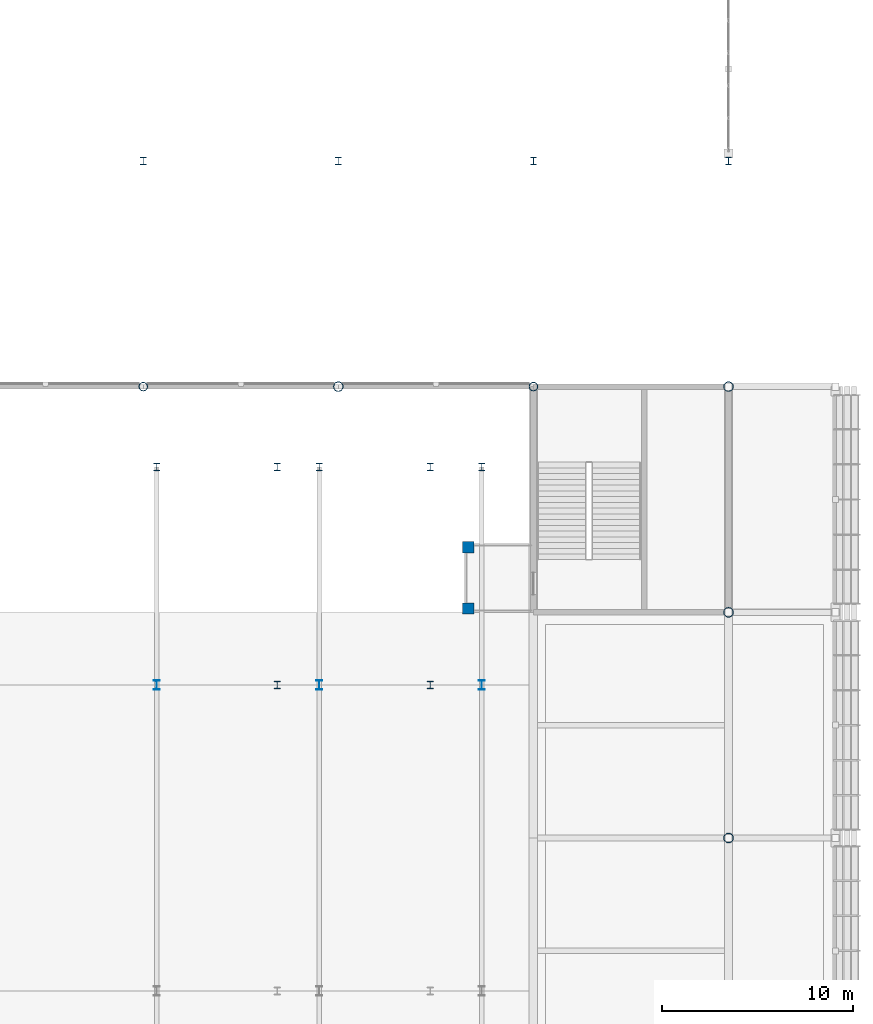
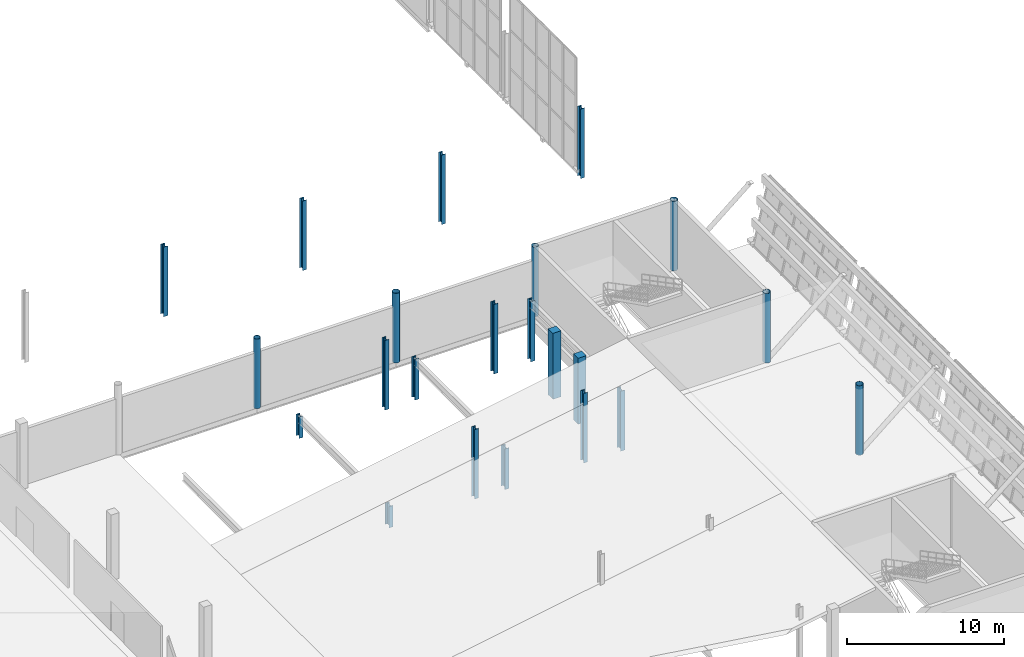
# One storey, part 16 of 175: 22 columns.
"""IFC4 building model written with IfcOpenShell, lengths in metres."""

from ifc_helpers import new_model, si_unit, direction, frame, origin, origin_2d, place, context, subcontext, project, spatial, rectangle, hollow_circle, i_section, extrude, material, material_profile, profile_set, type_object, element, save


model = new_model("IFC4")

# Units and contexts
model_context = context("Model", 3, precision=1e-05, world=origin(), true_north=direction((0.0, 1.0)))
body_context = subcontext(model_context, "Body", "Model", "MODEL_VIEW")
ifc_project = project(units=[si_unit("LENGTHUNIT", "METRE"), si_unit("AREAUNIT", "SQUARE_METRE"), si_unit("VOLUMEUNIT", "CUBIC_METRE"), si_unit("PLANEANGLEUNIT", "RADIAN"), si_unit("MASSUNIT", "GRAM", prefix="KILO")], contexts=[model_context])

# Site, building, storey
site_placement = place(None, origin())
site = spatial("IfcSite", under=ifc_project, at=site_placement, CompositionType="ELEMENT")
building_placement = place(site_placement, origin())
building = spatial("IfcBuilding", under=site, at=building_placement, Name="Brelvane Convention Centre", CompositionType="ELEMENT")
storey_placement = place(building_placement, frame((0.0, 0.0, 5.39990234375)))
storey = spatial("IfcBuildingStorey", under=building, at=storey_placement, Name="L01", CompositionType="ELEMENT", Elevation=5.39990234375)

# Columns
ifc_material_1 = material(Name="Concrete M50", Category="concrete")
ifc_material_profile_1 = material_profile(ifc_material_1, rectangle(XDim=0.60009765625, YDim=0.60009765625, at=origin_2d()), Name="RC 600x600")
ifc_profile_set_1 = profile_set([ifc_material_profile_1], Name="Concrete M50")
column_type_1 = type_object("IfcColumnType", Name="RC Column C-RC4 (RC 600x600)", PredefinedType="COLUMN", material=ifc_profile_set_1)
for number, where, z_axis, x_axis, name in (
    (1, (210.800048828125, 76.199951171875, 0.0), (0.0, 0.0, 1.0), (1.0, 0.0, 0.0), "Plenary Gallery L01 Column 3"),
    (2, (210.800048828125, 79.39990234375, 0.0), (0.0, 0.0, 1.0), (1.0, 0.0, 0.0), "Plenary Gallery L01 Column 4"),
):
    element("IfcColumn", number, at=place(storey_placement, frame(where, z_axis=z_axis, x_axis=x_axis)), inside=storey, type_object=column_type_1, Name=name, PredefinedType="COLUMN", context=body_context, shape_type="SweptSolid", body=[
        extrude(rectangle(XDim=0.60009765625, YDim=0.60009765625, at=origin_2d()), origin(), (0.0, 0.0, 1.0), 5.1201171875),
    ])
ifc_material_2 = material(Name="Steel E450 (450 MPa)", Category="steel")
ifc_material_profile_2 = material_profile(ifc_material_2, hollow_circle(Radius=0.25390625, WallThickness=0.02001953125, at=origin_2d()), Name="CHS 508.0x20.0")
ifc_profile_set_2 = profile_set([ifc_material_profile_2], Name="Steel E450 (450 MPa)")
column_type_2 = type_object("IfcColumnType", Name="Steel Column C-ST2 (CHS 508.0x20.0)", PredefinedType="COLUMN", material=ifc_profile_set_2)
for number, where, z_axis, x_axis, name in (
    (3, (204.0, 87.800048828125, 0.0), (0.0, 0.0, 1.0), (1.0, 0.0, 0.0), "Column 21-J (L01)"),
    (4, (224.39990234375, 64.199951171875, 0.0), (0.0, 0.0, 1.0), (1.0, 0.0, 0.0), "Column 23-G (L01)"),
    (5, (224.39990234375, 76.0, 0.0), (0.0, 0.0, 1.0), (1.0, 0.0, 0.0), "Column 23-H (L01)"),
    (6, (224.39990234375, 87.800048828125, 0.0), (0.0, 0.0, 1.0), (1.0, 0.0, 0.0), "Column 23-J (L01)"),
):
    element("IfcColumn", number, at=place(storey_placement, frame(where, z_axis=z_axis, x_axis=x_axis)), inside=storey, type_object=column_type_2, Name=name, PredefinedType="COLUMN", context=body_context, shape_type="SweptSolid", body=[
        extrude(hollow_circle(Radius=0.25390625, WallThickness=0.02001953125, at=origin_2d()), origin(), (0.0, 0.0, 1.0), 5.400146484375),
    ])
ifc_material_3 = material(Name="Steel E450 (450 MPa)", Category="steel")
ifc_material_profile_3 = material_profile(ifc_material_3, hollow_circle(Radius=0.228515625, WallThickness=0.02001953125, at=origin_2d()), Name="CHS 457.0x20.0")
ifc_profile_set_3 = profile_set([ifc_material_profile_3], Name="Steel E450 (450 MPa)")
column_type_3 = type_object("IfcColumnType", Name="Steel Column C-ST3 (CHS 457.0x20.0)", PredefinedType="COLUMN", material=ifc_profile_set_3)
for number, where, z_axis, x_axis, name in (
    (7, (193.800048828125, 87.800048828125, 0.0), (0.0, 0.0, 1.0), (1.0, 0.0, 0.0), "Column 20-J (L01)"),
    (8, (214.199951171875, 87.800048828125, 0.0), (0.0, 0.0, 1.0), (1.0, 0.0, 0.0), "Column 22-J (L01)"),
):
    element("IfcColumn", number, at=place(storey_placement, frame(where, z_axis=z_axis, x_axis=x_axis)), inside=storey, type_object=column_type_3, Name=name, PredefinedType="COLUMN", context=body_context, shape_type="SweptSolid", body=[
        extrude(hollow_circle(Radius=0.228515625, WallThickness=0.02001953125, at=origin_2d()), origin(), (0.0, 0.0, 1.0), 5.400146484375),
    ])
ifc_material_4 = material(Name="Steel E350 (350 MPa)", Category="steel")
ifc_material_profile_4 = material_profile(ifc_material_4, i_section(OverallWidth=0.300048828125, OverallDepth=0.5, WebThickness=0.014404296875, FlangeThickness=0.028076171875, FilletRadius=0.027099609375, at=origin_2d()), Name="WPB 500x300")
ifc_profile_set_4 = profile_set([ifc_material_profile_4], Name="Steel E350 (350 MPa)")
column_type_4 = type_object("IfcColumnType", Name="Steel Column C-ST6 (WPB 500x300)", PredefinedType="COLUMN", material=ifc_profile_set_4)
column_1_placement = place(storey_placement, frame((194.5, 72.199951171875, 0.0), z_axis=(0.0, 0.0, 1.0), x_axis=(1.0, 0.0, 0.0)))
element("IfcColumn", 9, at=column_1_placement, inside=storey, type_object=column_type_4, Name="Plenary Bowl Tier Column L01 L2-Y72", PredefinedType="COLUMN", context=body_context, shape_type="SweptSolid", body=[
    extrude(i_section(OverallWidth=0.300048828125, OverallDepth=0.5, WebThickness=0.014404296875, FlangeThickness=0.028076171875, FilletRadius=0.027099609375, at=origin_2d()), origin(), (0.0, 0.0, 1.0), 1.66015625),
])
column_2_placement = place(storey_placement, frame((203.0, 72.199951171875, 0.0), z_axis=(0.0, 0.0, 1.0), x_axis=(1.0, 0.0, 0.0)))
element("IfcColumn", 10, at=column_2_placement, inside=storey, type_object=column_type_4, Name="Plenary Bowl Tier Column L01 L3-Y72", PredefinedType="COLUMN", context=body_context, shape_type="SweptSolid", body=[
    extrude(i_section(OverallWidth=0.300048828125, OverallDepth=0.5, WebThickness=0.014404296875, FlangeThickness=0.028076171875, FilletRadius=0.027099609375, at=origin_2d()), origin(), (0.0, 0.0, 1.0), 3.16015625),
])
column_3_placement = place(storey_placement, frame((211.5, 72.199951171875, 0.0), z_axis=(0.0, 0.0, 1.0), x_axis=(1.0, 0.0, 0.0)))
element("IfcColumn", 11, at=column_3_placement, inside=storey, type_object=column_type_4, Name="Plenary Bowl Tier Column L01 L4-Y72", PredefinedType="COLUMN", context=body_context, shape_type="SweptSolid", body=[
    extrude(i_section(OverallWidth=0.300048828125, OverallDepth=0.5, WebThickness=0.014404296875, FlangeThickness=0.028076171875, FilletRadius=0.027099609375, at=origin_2d()), origin(), (0.0, 0.0, 1.0), 4.66015625),
])
ifc_material_5 = material(Name="Steel E350 (350 MPa)", Category="steel")
ifc_material_profile_5 = material_profile(ifc_material_5, i_section(OverallWidth=0.300048828125, OverallDepth=0.39990234375, WebThickness=0.013427734375, FlangeThickness=0.02392578125, FilletRadius=0.027099609375, at=origin_2d()), Name="WPB 400x300")
ifc_profile_set_5 = profile_set([ifc_material_profile_5], Name="Steel E350 (350 MPa)")
column_type_5 = type_object("IfcColumnType", Name="Steel Column C-ST7 (WPB 400x300)", PredefinedType="COLUMN", material=ifc_profile_set_5)
for number, where, z_axis, x_axis, name in (
    (12, (193.800048828125, 99.60009765625, 0.0), (0.0, 0.0, 1.0), (1.0, 0.0, 0.0), "Column 20-K (L01)"),
    (13, (204.0, 99.60009765625, 0.0), (0.0, 0.0, 1.0), (1.0, 0.0, 0.0), "Column 21-K (L01)"),
    (14, (214.199951171875, 99.60009765625, 0.0), (0.0, 0.0, 1.0), (1.0, 0.0, 0.0), "Column 22-K (L01)"),
    (15, (224.39990234375, 99.60009765625, 0.0), (0.0, 0.0, 1.0), (1.0, 0.0, 0.0), "Column 23-K (L01)"),
):
    element("IfcColumn", number, at=place(storey_placement, frame(where, z_axis=z_axis, x_axis=x_axis)), inside=storey, type_object=column_type_5, Name=name, PredefinedType="COLUMN", context=body_context, shape_type="SweptSolid", body=[
        extrude(i_section(OverallWidth=0.300048828125, OverallDepth=0.39990234375, WebThickness=0.013427734375, FlangeThickness=0.02392578125, FilletRadius=0.027099609375, at=origin_2d()), origin(), (0.0, 0.0, 1.0), 5.400146484375),
    ])
column_4_placement = place(storey_placement, frame((194.5, 83.60009765625, 0.0), z_axis=(0.0, 0.0, 1.0), x_axis=(1.0, 0.0, 0.0)))
element("IfcColumn", 16, at=column_4_placement, inside=storey, type_object=column_type_5, Name="Plenary Bowl Edge Column L01 L2-Y83", PredefinedType="COLUMN", context=body_context, shape_type="SweptSolid", body=[
    extrude(i_section(OverallWidth=0.300048828125, OverallDepth=0.39990234375, WebThickness=0.013427734375, FlangeThickness=0.02392578125, FilletRadius=0.027099609375, at=origin_2d()), origin(), (0.0, 0.0, 1.0), 1.66015625),
])
column_5_placement = place(storey_placement, frame((203.0, 83.60009765625, 0.0), z_axis=(0.0, 0.0, 1.0), x_axis=(1.0, 0.0, 0.0)))
element("IfcColumn", 17, at=column_5_placement, inside=storey, type_object=column_type_5, Name="Plenary Bowl Edge Column L01 L3-Y83", PredefinedType="COLUMN", context=body_context, shape_type="SweptSolid", body=[
    extrude(i_section(OverallWidth=0.300048828125, OverallDepth=0.39990234375, WebThickness=0.013427734375, FlangeThickness=0.02392578125, FilletRadius=0.027099609375, at=origin_2d()), origin(), (0.0, 0.0, 1.0), 3.16015625),
])
column_6_placement = place(storey_placement, frame((211.5, 83.60009765625, 0.0), z_axis=(0.0, 0.0, 1.0), x_axis=(1.0, 0.0, 0.0)))
element("IfcColumn", 18, at=column_6_placement, inside=storey, type_object=column_type_5, Name="Plenary Bowl Edge Column L01 L4-Y83", PredefinedType="COLUMN", context=body_context, shape_type="SweptSolid", body=[
    extrude(i_section(OverallWidth=0.300048828125, OverallDepth=0.39990234375, WebThickness=0.013427734375, FlangeThickness=0.02392578125, FilletRadius=0.027099609375, at=origin_2d()), origin(), (0.0, 0.0, 1.0), 4.66015625),
])
for number, where, z_axis, x_axis, name in (
    (19, (200.800048828125, 72.199951171875, 0.0), (0.0, 0.0, 1.0), (1.0, 0.0, 0.0), "Plenary Balcony Tier Column L01 U1-Y72"),
    (20, (200.800048828125, 83.60009765625, 0.0), (0.0, 0.0, 1.0), (1.0, 0.0, 0.0), "Plenary Balcony Tier Column L01 U1-Y83"),
    (21, (208.800048828125, 72.199951171875, 0.0), (0.0, 0.0, 1.0), (1.0, 0.0, 0.0), "Plenary Balcony Tier Column L01 U2-Y72"),
    (22, (208.800048828125, 83.60009765625, 0.0), (0.0, 0.0, 1.0), (1.0, 0.0, 0.0), "Plenary Balcony Tier Column L01 U2-Y83"),
):
    element("IfcColumn", number, at=place(storey_placement, frame(where, z_axis=z_axis, x_axis=x_axis)), inside=storey, type_object=column_type_5, Name=name, PredefinedType="COLUMN", context=body_context, shape_type="SweptSolid", body=[
        extrude(i_section(OverallWidth=0.300048828125, OverallDepth=0.39990234375, WebThickness=0.013427734375, FlangeThickness=0.02392578125, FilletRadius=0.027099609375, at=origin_2d()), origin(), (0.0, 0.0, 1.0), 5.400146484375),
    ])

save(model, "model.ifc")
